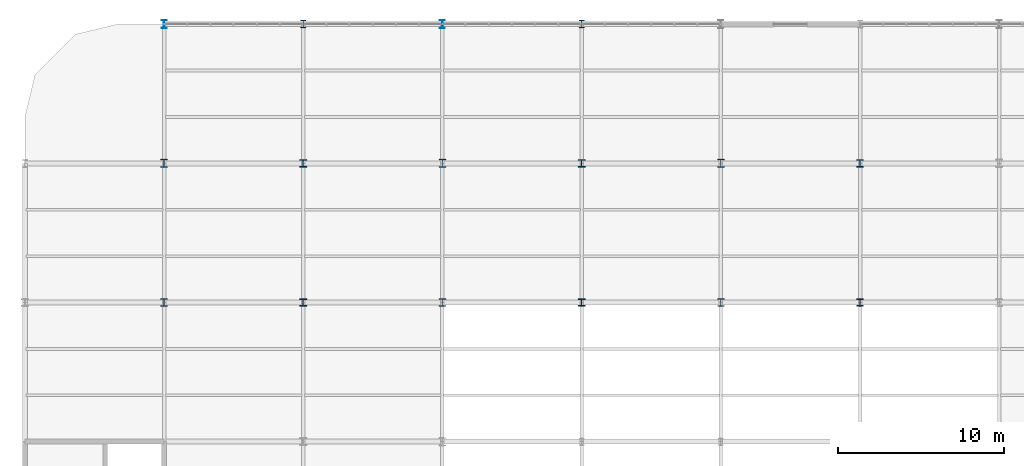
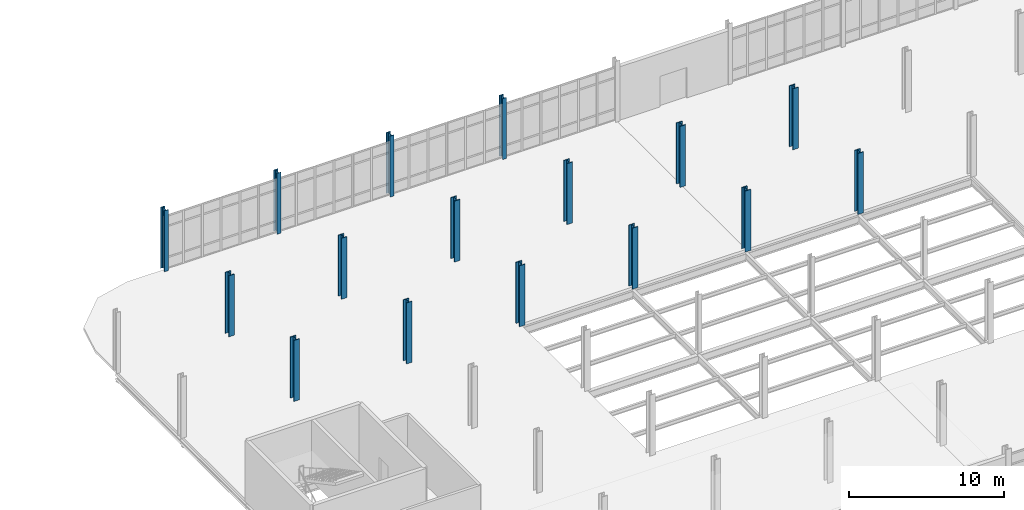
# One storey, part 15 of 145: 16 columns.
"""IFC4 building model written with IfcOpenShell, lengths in metres."""

from ifc_helpers import new_model, si_unit, direction, frame, origin, origin_2d, place, context, subcontext, project, spatial, i_section, extrude, material, material_profile, profile_set, type_object, element, save


model = new_model("IFC4")

# Units and contexts
model_context = context("Model", 3, precision=1e-05, world=origin(), true_north=direction((0.0, 1.0)))
body_context = subcontext(model_context, "Body", "Model", "MODEL_VIEW")
ifc_project = project(units=[si_unit("LENGTHUNIT", "METRE"), si_unit("AREAUNIT", "SQUARE_METRE"), si_unit("VOLUMEUNIT", "CUBIC_METRE"), si_unit("PLANEANGLEUNIT", "RADIAN"), si_unit("MASSUNIT", "GRAM", prefix="KILO")], contexts=[model_context])

# Site, building, storey
site_placement = place(None, origin())
site = spatial("IfcSite", under=ifc_project, at=site_placement, CompositionType="ELEMENT")
building_placement = place(site_placement, origin())
building = spatial("IfcBuilding", under=site, at=building_placement, Name="Qalvenar Corner Mobility Hub", CompositionType="ELEMENT")
storey_placement = place(building_placement, origin())
storey = spatial("IfcBuildingStorey", under=building, at=storey_placement, Name="L00", CompositionType="ELEMENT", Elevation=0.0)

# Columns
ifc_material = material(Name="Steel S355", Category="steel")
ifc_material_profile_1 = material_profile(ifc_material, i_section(OverallWidth=0.412109375, OverallDepth=0.455078125, WebThickness=0.030517578125, FlangeThickness=0.049072265625, FilletRadius=0.014892578125, at=origin_2d()), Name="HD400x421")
ifc_profile_set_1 = profile_set([ifc_material_profile_1], Name="Steel S355")
column_type_1 = type_object("IfcColumnType", Name="COL-HD400X382", PredefinedType="COLUMN", material=ifc_profile_set_1)
for number, where, z_axis, x_axis, name in (
    (1, (75.60009765625, 100.800048828125, 0.0), (0.0, 0.0, 1.0), (1.0, 0.0, 0.0), "Steel Column L00-G10-12"),
    (2, (75.60009765625, 109.199951171875, 0.0), (0.0, 0.0, 1.0), (1.0, 0.0, 0.0), "Steel Column L00-G10-13"),
    (3, (92.39990234375, 100.800048828125, 0.0), (0.0, 0.0, 1.0), (1.0, 0.0, 0.0), "Steel Column L00-G12-12"),
    (4, (92.39990234375, 109.199951171875, 0.0), (0.0, 0.0, 1.0), (1.0, 0.0, 0.0), "Steel Column L00-G12-13"),
    (5, (109.199951171875, 100.800048828125, 0.0), (0.0, 0.0, 1.0), (1.0, 0.0, 0.0), "Steel Column L00-G14-12"),
    (6, (109.199951171875, 109.199951171875, 0.0), (0.0, 0.0, 1.0), (1.0, 0.0, 0.0), "Steel Column L00-G14-13"),
):
    element("IfcColumn", number, at=place(storey_placement, frame(where, z_axis=z_axis, x_axis=x_axis)), inside=storey, type_object=column_type_1, Name=name, PredefinedType="COLUMN", context=body_context, shape_type="SweptSolid", body=[
        extrude(i_section(OverallWidth=0.412109375, OverallDepth=0.455078125, WebThickness=0.030517578125, FlangeThickness=0.049072265625, FilletRadius=0.014892578125, at=origin_2d()), origin(), (0.0, 0.0, 1.0), 4.800048828125),
    ])
ifc_material_profile_2 = material_profile(ifc_material, i_section(OverallWidth=0.419921875, OverallDepth=0.5048828125, WebThickness=0.03662109375, FlangeThickness=0.05908203125, FilletRadius=0.014892578125, at=origin_2d()), Name="HD400x551")
ifc_profile_set_2 = profile_set([ifc_material_profile_2], Name="Steel S355")
column_type_2 = type_object("IfcColumnType", Name="COL-HD400X463", PredefinedType="COLUMN", material=ifc_profile_set_2)
for number, where, z_axis, x_axis, name in (
    (7, (67.199951171875, 100.800048828125, 0.0), (0.0, 0.0, 1.0), (1.0, 0.0, 0.0), "Steel Column L00-G9-12"),
    (8, (67.199951171875, 109.199951171875, 0.0), (0.0, 0.0, 1.0), (1.0, 0.0, 0.0), "Steel Column L00-G9-13"),
    (9, (84.0, 100.800048828125, 0.0), (0.0, 0.0, 1.0), (1.0, 0.0, 0.0), "Steel Column L00-G11-12"),
    (10, (84.0, 109.199951171875, 0.0), (0.0, 0.0, 1.0), (1.0, 0.0, 0.0), "Steel Column L00-G11-13"),
    (11, (100.800048828125, 100.800048828125, 0.0), (0.0, 0.0, 1.0), (1.0, 0.0, 0.0), "Steel Column L00-G13-12"),
    (12, (100.800048828125, 109.199951171875, 0.0), (0.0, 0.0, 1.0), (1.0, 0.0, 0.0), "Steel Column L00-G13-13"),
):
    element("IfcColumn", number, at=place(storey_placement, frame(where, z_axis=z_axis, x_axis=x_axis)), inside=storey, type_object=column_type_2, Name=name, PredefinedType="COLUMN", context=body_context, shape_type="SweptSolid", body=[
        extrude(i_section(OverallWidth=0.419921875, OverallDepth=0.5048828125, WebThickness=0.03662109375, FlangeThickness=0.05908203125, FilletRadius=0.014892578125, at=origin_2d()), origin(), (0.0, 0.0, 1.0), 4.800048828125),
    ])
ifc_material_profile_3 = material_profile(ifc_material, i_section(OverallWidth=0.300048828125, OverallDepth=0.449951171875, WebThickness=0.013916015625, FlangeThickness=0.02587890625, FilletRadius=0.027099609375, at=origin_2d()), Name="HEB450")
ifc_profile_set_3 = profile_set([ifc_material_profile_3], Name="Steel S355")
column_type_3 = type_object("IfcColumnType", Name="COL-HEB450", PredefinedType="COLUMN", material=ifc_profile_set_3)
for number, where, z_axis, x_axis, name in (
    (13, (75.60009765625, 117.60009765625, 0.0), (0.0, 0.0, 1.0), (1.0, 0.0, 0.0), "Steel Column L00-G10-14"),
    (14, (92.39990234375, 117.60009765625, 0.0), (0.0, 0.0, 1.0), (1.0, 0.0, 0.0), "Steel Column L00-G12-14"),
):
    element("IfcColumn", number, at=place(storey_placement, frame(where, z_axis=z_axis, x_axis=x_axis)), inside=storey, type_object=column_type_3, Name=name, PredefinedType="COLUMN", context=body_context, shape_type="SweptSolid", body=[
        extrude(i_section(OverallWidth=0.300048828125, OverallDepth=0.449951171875, WebThickness=0.013916015625, FlangeThickness=0.02587890625, FilletRadius=0.027099609375, at=origin_2d()), origin(), (0.0, 0.0, 1.0), 4.800048828125),
    ])
ifc_material_profile_4 = material_profile(ifc_material, i_section(OverallWidth=0.300048828125, OverallDepth=0.5, WebThickness=0.014404296875, FlangeThickness=0.028076171875, FilletRadius=0.027099609375, at=origin_2d()), Name="HEB500")
ifc_profile_set_4 = profile_set([ifc_material_profile_4], Name="Steel S355")
column_type_4 = type_object("IfcColumnType", Name="COL-HEB500", PredefinedType="COLUMN", material=ifc_profile_set_4)
for number, where, z_axis, x_axis, name in (
    (15, (67.199951171875, 117.60009765625, 0.0), (0.0, 0.0, 1.0), (1.0, 0.0, 0.0), "Steel Column L00-G9-14"),
    (16, (84.0, 117.60009765625, 0.0), (0.0, 0.0, 1.0), (1.0, 0.0, 0.0), "Steel Column L00-G11-14"),
):
    element("IfcColumn", number, at=place(storey_placement, frame(where, z_axis=z_axis, x_axis=x_axis)), inside=storey, type_object=column_type_4, Name=name, PredefinedType="COLUMN", context=body_context, shape_type="SweptSolid", body=[
        extrude(i_section(OverallWidth=0.300048828125, OverallDepth=0.5, WebThickness=0.014404296875, FlangeThickness=0.028076171875, FilletRadius=0.027099609375, at=origin_2d()), origin(), (0.0, 0.0, 1.0), 4.800048828125),
    ])

save(model, "model.ifc")
